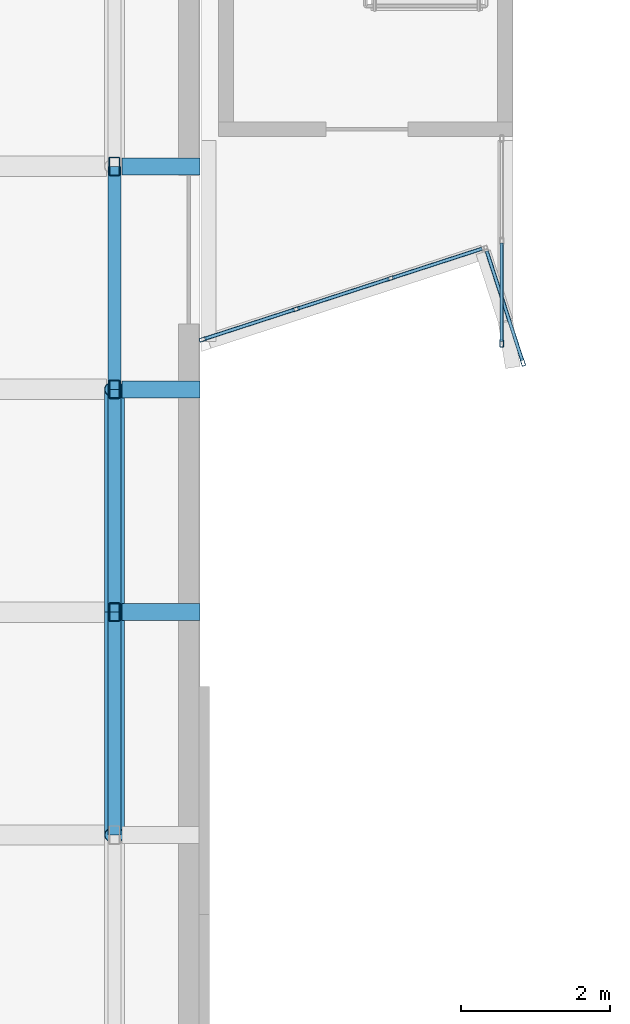
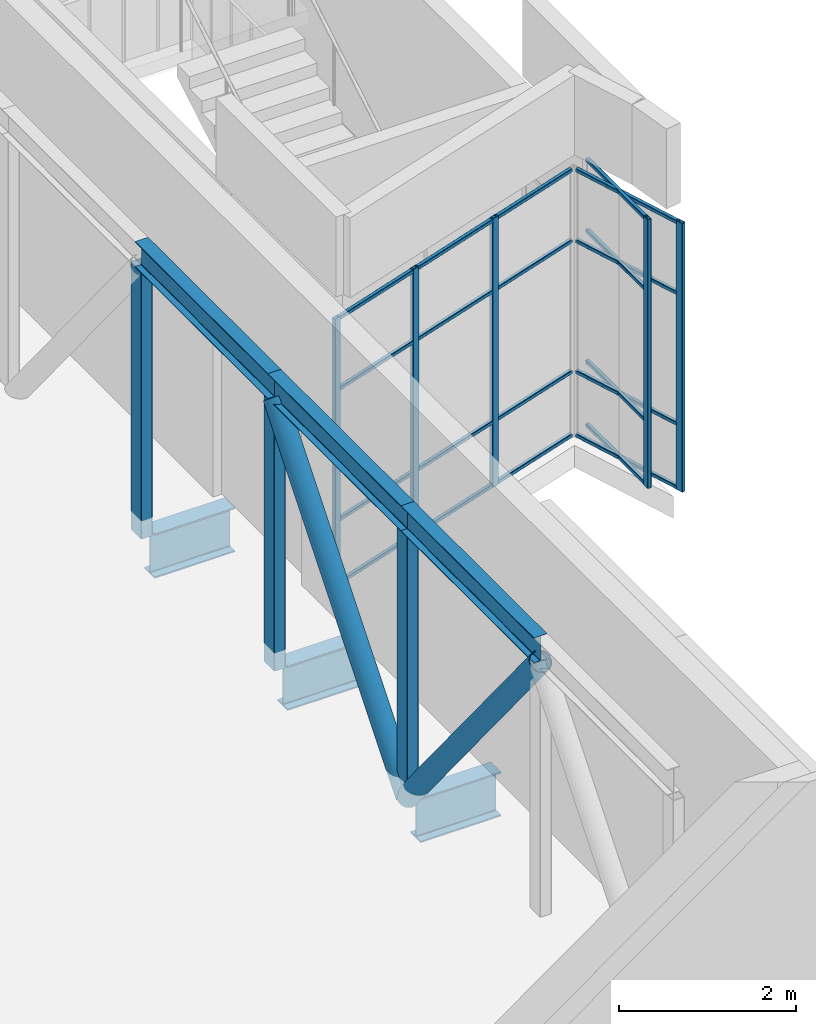
# One storey, part 15 of 72: 33 members, 3 beams, 3 elements without a shape of their own.
"""IFC4 building model written with IfcOpenShell, lengths in metres."""

from ifc_helpers import new_model, si_unit, direction, frame, origin, origin_2d, place, context, subcontext, project, spatial, hollow_rectangle, hollow_circle, i_section, extrude, material, layer, layer_set, material_profile, profile_set, type_object, element, aggregate, save


model = new_model("IFC4")

# Units and contexts
model_context = context("Model", 3, precision=1e-05, world=origin(), true_north=direction((0.0, 1.0)))
body_context = subcontext(model_context, "Body", "Model", "MODEL_VIEW")
ifc_project = project(units=[si_unit("LENGTHUNIT", "METRE"), si_unit("AREAUNIT", "SQUARE_METRE"), si_unit("VOLUMEUNIT", "CUBIC_METRE"), si_unit("PLANEANGLEUNIT", "RADIAN"), si_unit("MASSUNIT", "GRAM", prefix="KILO")], contexts=[model_context])

# Site, building, storey
site_placement = place(None, origin())
site = spatial("IfcSite", under=ifc_project, at=site_placement, CompositionType="ELEMENT")
building_placement = place(site_placement, origin())
building = spatial("IfcBuilding", under=site, at=building_placement, Name="Tuart Plaza Theatre", CompositionType="ELEMENT")
storey_placement = place(building_placement, frame((0.0, 0.0, 13.5)))
storey = spatial("IfcBuildingStorey", under=building, at=storey_placement, Name="L03", CompositionType="ELEMENT", Elevation=13.5)

# Beams
ifc_material_1 = material(Name="Steel Grade 300", Category="steel")
ifc_material_profile_1 = material_profile(ifc_material_1, i_section(OverallWidth=0.22900390625, OverallDepth=0.612060546875, WebThickness=0.011962890625, FlangeThickness=0.01953125, FilletRadius=0.013916015625, at=origin_2d()), Name="610UB125")
ifc_profile_set_1 = profile_set([ifc_material_profile_1], Name="Steel Grade 300")
beam_type = type_object("IfcBeamType", Name="BEAM 610UB125", PredefinedType="BEAM", material=ifc_profile_set_1)
for number, where, z_axis, x_axis, name in (
    (1, (105.1044921875, 38.0, -0.555908203125), (1.0, 0.0, 0.0), (0.0, 1.0, 0.0), "SB108"),
    (2, (105.1044921875, 41.0, -0.555908203125), (1.0, 0.0, 0.0), (0.0, 1.0, 0.0), "SB111"),
    (3, (105.1044921875, 44.0, -0.555908203125), (1.0, 0.0, 0.0), (0.0, 1.0, 0.0), "SB114"),
):
    element("IfcBeam", number, at=place(storey_placement, frame(where, z_axis=z_axis, x_axis=x_axis)), inside=storey, type_object=beam_type, Name=name, PredefinedType="BEAM", context=body_context, shape_type="SweptSolid", body=[
        extrude(i_section(OverallWidth=0.22900390625, OverallDepth=0.612060546875, WebThickness=0.011962890625, FlangeThickness=0.01953125, FilletRadius=0.013916015625, at=origin_2d()), origin(), (0.0, 0.0, 1.0), 1.04541015625),
    ])

# Members
ifc_material_2 = material(Name="Steel Grade 300", Category="steel")
ifc_material_profile_2 = material_profile(ifc_material_2, i_section(OverallWidth=0.1708984375, OverallDepth=0.35205078125, WebThickness=0.0068359375, FlangeThickness=0.009765625, FilletRadius=0.011474609375, at=origin_2d()), Name="360UB44.7")
ifc_profile_set_2 = profile_set([ifc_material_profile_2], Name="Steel Grade 300")
member_type_1 = type_object("IfcMemberType", Name="BELT TRUSS Chord 360UB44.7", PredefinedType="CHORD", material=ifc_profile_set_2)
for number, where, z_axis, x_axis, name in (
    (4, (105.0, 35.0, 3.60009765625), (0.0, 1.0, 0.0), (-1.0, 0.0, 0.0), "CH61"),
    (5, (105.0, 38.0, 3.60009765625), (0.0, 1.0, 0.0), (-1.0, 0.0, 0.0), "CH62"),
    (6, (105.0, 41.0, 3.60009765625), (0.0, 1.0, 0.0), (-1.0, 0.0, 0.0), "CH63"),
):
    element("IfcMember", number, at=place(storey_placement, frame(where, z_axis=z_axis, x_axis=x_axis)), inside=storey, type_object=member_type_1, Name=name, PredefinedType="CHORD", context=body_context, shape_type="SweptSolid", body=[
        extrude(i_section(OverallWidth=0.1708984375, OverallDepth=0.35205078125, WebThickness=0.0068359375, FlangeThickness=0.009765625, FilletRadius=0.011474609375, at=origin_2d()), origin(), (0.0, 0.0, 1.0), 3.0),
    ])
ifc_material_3 = material(Name="Steel Grade C350L0", Category="steel")
ifc_material_profile_3 = material_profile(ifc_material_3, hollow_circle(Radius=0.136474609375, WallThickness=0.00927734375, at=origin_2d()), Name="273.1x9.3 CHS")
ifc_profile_set_3 = profile_set([ifc_material_profile_3], Name="Steel Grade C350L0")
member_type_2 = type_object("IfcMemberType", Name="BELT TRUSS Diagonal 273.1x9.3 CHS", PredefinedType="BRACE", material=ifc_profile_set_3)
for number, where, z_axis, x_axis, name in (
    (7, (105.0, 38.0, -0.25341796875), (0.0, -0.632119412197, 0.774870988438), (1.0, 0.0, 0.0), "BR167"),
    (8, (105.0, 38.0, -0.25341796875), (0.0, 0.632119412197, 0.774870988438), (-1.0, 0.0, 0.0), "BR169"),
):
    element("IfcMember", number, at=place(storey_placement, frame(where, z_axis=z_axis, x_axis=x_axis)), inside=storey, type_object=member_type_2, Name=name, PredefinedType="BRACE", context=body_context, shape_type="SweptSolid", body=[
        extrude(hollow_circle(Radius=0.136474609375, WallThickness=0.00927734375, at=origin_2d()), origin(), (0.0, 0.0, 1.0), 4.745849609375),
    ])
ifc_material_4 = material(Name="Steel Grade C350L0", Category="steel")
ifc_material_profile_4 = material_profile(ifc_material_4, hollow_rectangle(XDim=0.14990234375, YDim=0.25, WallThickness=0.009033203125, InnerFilletRadius=0.009033203125, OuterFilletRadius=0.01806640625, at=origin_2d()), Name="250x150x9 RHS")
ifc_profile_set_4 = profile_set([ifc_material_profile_4], Name="Steel Grade C350L0")
member_type_3 = type_object("IfcMemberType", Name="BELT TRUSS Post 250x150x9 RHS", PredefinedType="POST", material=ifc_profile_set_4)
for number, where, z_axis, x_axis, name in (
    (9, (105.0, 38.0, -0.25341796875), (0.0, 0.0, 1.0), (1.0, 0.0, 0.0), "PO231"),
    (10, (105.0, 41.0, -0.25341796875), (0.0, 0.0, 1.0), (1.0, 0.0, 0.0), "PO233"),
    (11, (105.0, 44.0, -0.25341796875), (0.0, 0.0, 1.0), (1.0, 0.0, 0.0), "PO235"),
):
    element("IfcMember", number, at=place(storey_placement, frame(where, z_axis=z_axis, x_axis=x_axis)), inside=storey, type_object=member_type_3, Name=name, PredefinedType="POST", context=body_context, shape_type="SweptSolid", body=[
        extrude(hollow_rectangle(XDim=0.14990234375, YDim=0.25, WallThickness=0.009033203125, InnerFilletRadius=0.009033203125, OuterFilletRadius=0.01806640625, at=origin_2d()), origin(), (0.0, 0.0, 1.0), 3.677490234375),
    ])

# Curtain wall, members
ifc_material_5 = material(Name="Aluminium and glass", Category="aluminium")
ifc_layer = layer(ifc_material_5, 0.10009765625)
ifc_layer_set = layer_set([ifc_layer], Name="CURTAIN WALL 1500 module")
curtain_wall_type = type_object("IfcCurtainWallType", Name="CURTAIN WALL 1500 module", PredefinedType="NOTDEFINED", material=ifc_layer_set)
curtain_wall_1_placement = place(storey_placement, origin())
curtain_wall_1 = element("IfcCurtainWall", 12, at=curtain_wall_1_placement, inside=storey, type_object=curtain_wall_type, Name="CW40", PredefinedType="NOTDEFINED")
ifc_material_6 = material(Name="Aluminium 6063-T5", Category="aluminium")
ifc_material_profile_5 = material_profile(ifc_material_6, hollow_rectangle(XDim=0.050048828125, YDim=0.10009765625, WallThickness=0.00390625, InnerFilletRadius=0.00390625, OuterFilletRadius=0.008056640625, at=origin_2d()), Name="RHS 100x50x4")
ifc_profile_set_5 = profile_set([ifc_material_profile_5], Name="Aluminium 6063-T5")
member_type_4 = type_object("IfcMemberType", Name="MULLION RHS 100x50x4", PredefinedType="MULLION", material=ifc_profile_set_5)
member_1_placement = place(storey_placement, frame((106.19384765625, 41.673095703125, 0.0), z_axis=(0.0, 0.0, 1.0), x_axis=(-0.308885075359, 0.951099369267, 0.0)))
member_1 = element("IfcMember", 13, at=member_1_placement, type_object=member_type_4, Name="CW40 mullion 1", PredefinedType="MULLION", context=body_context, shape_type="SweptSolid", body=[
    extrude(hollow_rectangle(XDim=0.050048828125, YDim=0.10009765625, WallThickness=0.00390625, InnerFilletRadius=0.00390625, OuterFilletRadius=0.008056640625, at=origin_2d()), origin(), (0.0, 0.0, 1.0), 3.699951171875),
])
member_2_placement = place(storey_placement, frame((107.445556640625, 42.07958984375, 0.0), z_axis=(0.0, 0.0, 1.0), x_axis=(-0.308885075359, 0.951099369267, 0.0)))
member_2 = element("IfcMember", 14, at=member_2_placement, type_object=member_type_4, Name="CW40 mullion 2", PredefinedType="MULLION", context=body_context, shape_type="SweptSolid", body=[
    extrude(hollow_rectangle(XDim=0.050048828125, YDim=0.10009765625, WallThickness=0.00390625, InnerFilletRadius=0.00390625, OuterFilletRadius=0.008056640625, at=origin_2d()), origin(), (0.0, 0.0, 1.0), 3.699951171875),
])
member_3_placement = place(storey_placement, frame((108.720947265625, 42.493896484375, 0.0), z_axis=(0.0, 0.0, 1.0), x_axis=(-0.308885075359, 0.951099369267, 0.0)))
member_3 = element("IfcMember", 15, at=member_3_placement, type_object=member_type_4, Name="CW40 mullion 3", PredefinedType="MULLION", context=body_context, shape_type="SweptSolid", body=[
    extrude(hollow_rectangle(XDim=0.050048828125, YDim=0.10009765625, WallThickness=0.00390625, InnerFilletRadius=0.00390625, OuterFilletRadius=0.008056640625, at=origin_2d()), origin(), (0.0, 0.0, 1.0), 3.699951171875),
])

# Curtain wall, member
curtain_wall_2_placement = place(storey_placement, origin())
curtain_wall_2 = element("IfcCurtainWall", 16, at=curtain_wall_2_placement, inside=storey, type_object=curtain_wall_type, Name="CW41", PredefinedType="NOTDEFINED")
member_4_placement = place(storey_placement, frame((110.498046875, 41.363037109375, 0.0), z_axis=(0.0, 0.0, 1.0), x_axis=(0.951122257572, 0.30881459025, 0.0)))
member_4 = element("IfcMember", 17, at=member_4_placement, type_object=member_type_4, Name="CW41 mullion 2", PredefinedType="MULLION", context=body_context, shape_type="SweptSolid", body=[
    extrude(hollow_rectangle(XDim=0.050048828125, YDim=0.10009765625, WallThickness=0.00390625, InnerFilletRadius=0.00390625, OuterFilletRadius=0.008056640625, at=origin_2d()), origin(), (0.0, 0.0, 1.0), 3.699951171875),
])

curtain_wall_3_placement = place(storey_placement, origin())
curtain_wall_3 = element("IfcCurtainWall", 18, at=curtain_wall_3_placement, inside=storey, type_object=curtain_wall_type, Name="CW42", PredefinedType="NOTDEFINED")
member_5_placement = place(storey_placement, frame((110.212890625, 41.617919921875, 0.0), z_axis=(0.0, 0.0, 1.0), x_axis=(-1.0, 0.0, 0.0)))
member_5 = element("IfcMember", 19, at=member_5_placement, type_object=member_type_4, Name="CW42 mullion 1", PredefinedType="MULLION", context=body_context, shape_type="SweptSolid", body=[
    extrude(hollow_rectangle(XDim=0.050048828125, YDim=0.10009765625, WallThickness=0.00390625, InnerFilletRadius=0.00390625, OuterFilletRadius=0.008056640625, at=origin_2d()), origin(), (0.0, 0.0, 1.0), 3.699951171875),
])

# Member
ifc_material_7 = material(Name="Aluminium 6063-T5", Category="aluminium")
ifc_material_profile_6 = material_profile(ifc_material_7, hollow_rectangle(XDim=0.050048828125, YDim=0.050048828125, WallThickness=0.00390625, InnerFilletRadius=0.00390625, OuterFilletRadius=0.008056640625, at=origin_2d()), Name="RHS 50x50x4")
ifc_profile_set_6 = profile_set([ifc_material_profile_6], Name="Aluminium 6063-T5")
member_type_5 = type_object("IfcMemberType", Name="TRANSOM RHS 50x50x4", PredefinedType="USERDEFINED", material=ifc_profile_set_6)
member_6_placement = place(storey_placement, frame((106.217529296875, 41.6806640625, 0.02490234375), z_axis=(0.951085072706, 0.308929092959, 0.0), x_axis=(-0.308929092959, 0.951085072706, 0.0)))
member_6 = element("IfcMember", 20, at=member_6_placement, type_object=member_type_5, Name="CW40 transom 1.1", ObjectType="TRANSOM", PredefinedType="USERDEFINED", context=body_context, shape_type="SweptSolid", body=[
    extrude(hollow_rectangle(XDim=0.050048828125, YDim=0.050048828125, WallThickness=0.00390625, InnerFilletRadius=0.00390625, OuterFilletRadius=0.008056640625, at=origin_2d()), origin(), (0.0, 0.0, 1.0), 1.26611328125),
])

member_7_placement = place(storey_placement, frame((106.217529296875, 41.6806640625, 0.89990234375), z_axis=(0.951085072706, 0.308929092959, 0.0), x_axis=(-0.308929092959, 0.951085072706, 0.0)))
member_7 = element("IfcMember", 21, at=member_7_placement, type_object=member_type_5, Name="CW40 transom 1.2", ObjectType="TRANSOM", PredefinedType="USERDEFINED", context=body_context, shape_type="SweptSolid", body=[
    extrude(hollow_rectangle(XDim=0.050048828125, YDim=0.050048828125, WallThickness=0.00390625, InnerFilletRadius=0.00390625, OuterFilletRadius=0.008056640625, at=origin_2d()), origin(), (0.0, 0.0, 1.0), 1.26611328125),
])

member_8_placement = place(storey_placement, frame((106.217529296875, 41.6806640625, 2.699951171875), z_axis=(0.951085072706, 0.308929092959, 0.0), x_axis=(-0.308929092959, 0.951085072706, 0.0)))
member_8 = element("IfcMember", 22, at=member_8_placement, type_object=member_type_5, Name="CW40 transom 1.3", ObjectType="TRANSOM", PredefinedType="USERDEFINED", context=body_context, shape_type="SweptSolid", body=[
    extrude(hollow_rectangle(XDim=0.050048828125, YDim=0.050048828125, WallThickness=0.00390625, InnerFilletRadius=0.00390625, OuterFilletRadius=0.008056640625, at=origin_2d()), origin(), (0.0, 0.0, 1.0), 1.26611328125),
])

member_9_placement = place(storey_placement, frame((106.217529296875, 41.6806640625, 3.675048828125), z_axis=(0.951085072706, 0.308929092959, 0.0), x_axis=(-0.308929092959, 0.951085072706, 0.0)))
member_9 = element("IfcMember", 23, at=member_9_placement, type_object=member_type_5, Name="CW40 transom 1.4", ObjectType="TRANSOM", PredefinedType="USERDEFINED", context=body_context, shape_type="SweptSolid", body=[
    extrude(hollow_rectangle(XDim=0.050048828125, YDim=0.050048828125, WallThickness=0.00390625, InnerFilletRadius=0.00390625, OuterFilletRadius=0.008056640625, at=origin_2d()), origin(), (0.0, 0.0, 1.0), 1.26611328125),
])

member_10_placement = place(storey_placement, frame((107.46923828125, 42.087158203125, 0.02490234375), z_axis=(0.951057691924, 0.309013376139, 0.0), x_axis=(-0.309013376139, 0.951057691924, 0.0)))
member_10 = element("IfcMember", 24, at=member_10_placement, type_object=member_type_5, Name="CW40 transom 2.1", ObjectType="TRANSOM", PredefinedType="USERDEFINED", context=body_context, shape_type="SweptSolid", body=[
    extrude(hollow_rectangle(XDim=0.050048828125, YDim=0.050048828125, WallThickness=0.00390625, InnerFilletRadius=0.00390625, OuterFilletRadius=0.008056640625, at=origin_2d()), origin(), (0.0, 0.0, 1.0), 1.291015625),
])

member_11_placement = place(storey_placement, frame((107.46923828125, 42.087158203125, 0.89990234375), z_axis=(0.951057691924, 0.309013376139, 0.0), x_axis=(-0.309013376139, 0.951057691924, 0.0)))
member_11 = element("IfcMember", 25, at=member_11_placement, type_object=member_type_5, Name="CW40 transom 2.2", ObjectType="TRANSOM", PredefinedType="USERDEFINED", context=body_context, shape_type="SweptSolid", body=[
    extrude(hollow_rectangle(XDim=0.050048828125, YDim=0.050048828125, WallThickness=0.00390625, InnerFilletRadius=0.00390625, OuterFilletRadius=0.008056640625, at=origin_2d()), origin(), (0.0, 0.0, 1.0), 1.291015625),
])

member_12_placement = place(storey_placement, frame((107.46923828125, 42.087158203125, 2.699951171875), z_axis=(0.951057691924, 0.309013376139, 0.0), x_axis=(-0.309013376139, 0.951057691924, 0.0)))
member_12 = element("IfcMember", 26, at=member_12_placement, type_object=member_type_5, Name="CW40 transom 2.3", ObjectType="TRANSOM", PredefinedType="USERDEFINED", context=body_context, shape_type="SweptSolid", body=[
    extrude(hollow_rectangle(XDim=0.050048828125, YDim=0.050048828125, WallThickness=0.00390625, InnerFilletRadius=0.00390625, OuterFilletRadius=0.008056640625, at=origin_2d()), origin(), (0.0, 0.0, 1.0), 1.291015625),
])

member_13_placement = place(storey_placement, frame((107.46923828125, 42.087158203125, 3.675048828125), z_axis=(0.951057691924, 0.309013376139, 0.0), x_axis=(-0.309013376139, 0.951057691924, 0.0)))
member_13 = element("IfcMember", 27, at=member_13_placement, type_object=member_type_5, Name="CW40 transom 2.4", ObjectType="TRANSOM", PredefinedType="USERDEFINED", context=body_context, shape_type="SweptSolid", body=[
    extrude(hollow_rectangle(XDim=0.050048828125, YDim=0.050048828125, WallThickness=0.00390625, InnerFilletRadius=0.00390625, OuterFilletRadius=0.008056640625, at=origin_2d()), origin(), (0.0, 0.0, 1.0), 1.291015625),
])

member_14_placement = place(storey_placement, frame((108.74462890625, 42.50146484375, 0.02490234375), z_axis=(0.951085072706, 0.308929092959, 0.0), x_axis=(-0.308929092959, 0.951085072706, 0.0)))
member_14 = element("IfcMember", 28, at=member_14_placement, type_object=member_type_5, Name="CW40 transom 3.1", ObjectType="TRANSOM", PredefinedType="USERDEFINED", context=body_context, shape_type="SweptSolid", body=[
    extrude(hollow_rectangle(XDim=0.050048828125, YDim=0.050048828125, WallThickness=0.00390625, InnerFilletRadius=0.00390625, OuterFilletRadius=0.008056640625, at=origin_2d()), origin(), (0.0, 0.0, 1.0), 1.26611328125),
])

member_15_placement = place(storey_placement, frame((108.74462890625, 42.50146484375, 0.89990234375), z_axis=(0.951085072706, 0.308929092959, 0.0), x_axis=(-0.308929092959, 0.951085072706, 0.0)))
member_15 = element("IfcMember", 29, at=member_15_placement, type_object=member_type_5, Name="CW40 transom 3.2", ObjectType="TRANSOM", PredefinedType="USERDEFINED", context=body_context, shape_type="SweptSolid", body=[
    extrude(hollow_rectangle(XDim=0.050048828125, YDim=0.050048828125, WallThickness=0.00390625, InnerFilletRadius=0.00390625, OuterFilletRadius=0.008056640625, at=origin_2d()), origin(), (0.0, 0.0, 1.0), 1.26611328125),
])

member_16_placement = place(storey_placement, frame((108.74462890625, 42.50146484375, 2.699951171875), z_axis=(0.951085072706, 0.308929092959, 0.0), x_axis=(-0.308929092959, 0.951085072706, 0.0)))
member_16 = element("IfcMember", 30, at=member_16_placement, type_object=member_type_5, Name="CW40 transom 3.3", ObjectType="TRANSOM", PredefinedType="USERDEFINED", context=body_context, shape_type="SweptSolid", body=[
    extrude(hollow_rectangle(XDim=0.050048828125, YDim=0.050048828125, WallThickness=0.00390625, InnerFilletRadius=0.00390625, OuterFilletRadius=0.008056640625, at=origin_2d()), origin(), (0.0, 0.0, 1.0), 1.26611328125),
])

member_17_placement = place(storey_placement, frame((108.74462890625, 42.50146484375, 3.675048828125), z_axis=(0.951085072706, 0.308929092959, 0.0), x_axis=(-0.308929092959, 0.951085072706, 0.0)))
member_17 = element("IfcMember", 31, at=member_17_placement, type_object=member_type_5, Name="CW40 transom 3.4", ObjectType="TRANSOM", PredefinedType="USERDEFINED", context=body_context, shape_type="SweptSolid", body=[
    extrude(hollow_rectangle(XDim=0.050048828125, YDim=0.050048828125, WallThickness=0.00390625, InnerFilletRadius=0.00390625, OuterFilletRadius=0.008056640625, at=origin_2d()), origin(), (0.0, 0.0, 1.0), 1.26611328125),
])

aggregate(curtain_wall_1, [member_1, member_2, member_3, member_6, member_7, member_8, member_9, member_10, member_11, member_12, member_13, member_14, member_15, member_16, member_17])

member_18_placement = place(storey_placement, frame((110.01171875, 42.8603515625, 0.02490234375), z_axis=(0.308890071797, -0.951097746578, 0.0), x_axis=(0.951097746578, 0.308890071797, 0.0)))
member_18 = element("IfcMember", 32, at=member_18_placement, type_object=member_type_5, Name="CW41 transom 1.1", ObjectType="TRANSOM", PredefinedType="USERDEFINED", context=body_context, shape_type="SweptSolid", body=[
    extrude(hollow_rectangle(XDim=0.050048828125, YDim=0.050048828125, WallThickness=0.00390625, InnerFilletRadius=0.00390625, OuterFilletRadius=0.008056640625, at=origin_2d()), origin(), (0.0, 0.0, 1.0), 1.549072265625),
])

member_19_placement = place(storey_placement, frame((110.01171875, 42.8603515625, 0.89990234375), z_axis=(0.308890071797, -0.951097746578, 0.0), x_axis=(0.951097746578, 0.308890071797, 0.0)))
member_19 = element("IfcMember", 33, at=member_19_placement, type_object=member_type_5, Name="CW41 transom 1.2", ObjectType="TRANSOM", PredefinedType="USERDEFINED", context=body_context, shape_type="SweptSolid", body=[
    extrude(hollow_rectangle(XDim=0.050048828125, YDim=0.050048828125, WallThickness=0.00390625, InnerFilletRadius=0.00390625, OuterFilletRadius=0.008056640625, at=origin_2d()), origin(), (0.0, 0.0, 1.0), 1.549072265625),
])

member_20_placement = place(storey_placement, frame((110.01171875, 42.8603515625, 2.699951171875), z_axis=(0.308890071797, -0.951097746578, 0.0), x_axis=(0.951097746578, 0.308890071797, 0.0)))
member_20 = element("IfcMember", 34, at=member_20_placement, type_object=member_type_5, Name="CW41 transom 1.3", ObjectType="TRANSOM", PredefinedType="USERDEFINED", context=body_context, shape_type="SweptSolid", body=[
    extrude(hollow_rectangle(XDim=0.050048828125, YDim=0.050048828125, WallThickness=0.00390625, InnerFilletRadius=0.00390625, OuterFilletRadius=0.008056640625, at=origin_2d()), origin(), (0.0, 0.0, 1.0), 1.549072265625),
])

member_21_placement = place(storey_placement, frame((110.01171875, 42.8603515625, 3.675048828125), z_axis=(0.308890071797, -0.951097746578, 0.0), x_axis=(0.951097746578, 0.308890071797, 0.0)))
member_21 = element("IfcMember", 35, at=member_21_placement, type_object=member_type_5, Name="CW41 transom 1.4", ObjectType="TRANSOM", PredefinedType="USERDEFINED", context=body_context, shape_type="SweptSolid", body=[
    extrude(hollow_rectangle(XDim=0.050048828125, YDim=0.050048828125, WallThickness=0.00390625, InnerFilletRadius=0.00390625, OuterFilletRadius=0.008056640625, at=origin_2d()), origin(), (0.0, 0.0, 1.0), 1.549072265625),
])

aggregate(curtain_wall_2, [member_4, member_18, member_19, member_20, member_21])

member_22_placement = place(storey_placement, frame((110.212890625, 41.64306640625, 0.02490234375), z_axis=(0.0, 1.0, 0.0), x_axis=(-1.0, 0.0, 0.0)))
member_22 = element("IfcMember", 36, at=member_22_placement, type_object=member_type_5, Name="CW42 transom 1.1", ObjectType="TRANSOM", PredefinedType="USERDEFINED", context=body_context, shape_type="SweptSolid", body=[
    extrude(hollow_rectangle(XDim=0.050048828125, YDim=0.050048828125, WallThickness=0.00390625, InnerFilletRadius=0.00390625, OuterFilletRadius=0.008056640625, at=origin_2d()), origin(), (0.0, 0.0, 1.0), 1.328369140625),
])

member_23_placement = place(storey_placement, frame((110.212890625, 41.64306640625, 0.89990234375), z_axis=(0.0, 1.0, 0.0), x_axis=(-1.0, 0.0, 0.0)))
member_23 = element("IfcMember", 37, at=member_23_placement, type_object=member_type_5, Name="CW42 transom 1.2", ObjectType="TRANSOM", PredefinedType="USERDEFINED", context=body_context, shape_type="SweptSolid", body=[
    extrude(hollow_rectangle(XDim=0.050048828125, YDim=0.050048828125, WallThickness=0.00390625, InnerFilletRadius=0.00390625, OuterFilletRadius=0.008056640625, at=origin_2d()), origin(), (0.0, 0.0, 1.0), 1.328369140625),
])

member_24_placement = place(storey_placement, frame((110.212890625, 41.64306640625, 2.699951171875), z_axis=(0.0, 1.0, 0.0), x_axis=(-1.0, 0.0, 0.0)))
member_24 = element("IfcMember", 38, at=member_24_placement, type_object=member_type_5, Name="CW42 transom 1.3", ObjectType="TRANSOM", PredefinedType="USERDEFINED", context=body_context, shape_type="SweptSolid", body=[
    extrude(hollow_rectangle(XDim=0.050048828125, YDim=0.050048828125, WallThickness=0.00390625, InnerFilletRadius=0.00390625, OuterFilletRadius=0.008056640625, at=origin_2d()), origin(), (0.0, 0.0, 1.0), 1.328369140625),
])

member_25_placement = place(storey_placement, frame((110.212890625, 41.64306640625, 3.675048828125), z_axis=(0.0, 1.0, 0.0), x_axis=(-1.0, 0.0, 0.0)))
member_25 = element("IfcMember", 39, at=member_25_placement, type_object=member_type_5, Name="CW42 transom 1.4", ObjectType="TRANSOM", PredefinedType="USERDEFINED", context=body_context, shape_type="SweptSolid", body=[
    extrude(hollow_rectangle(XDim=0.050048828125, YDim=0.050048828125, WallThickness=0.00390625, InnerFilletRadius=0.00390625, OuterFilletRadius=0.008056640625, at=origin_2d()), origin(), (0.0, 0.0, 1.0), 1.328369140625),
])

aggregate(curtain_wall_3, [member_5, member_22, member_23, member_24, member_25])

save(model, "model.ifc")
